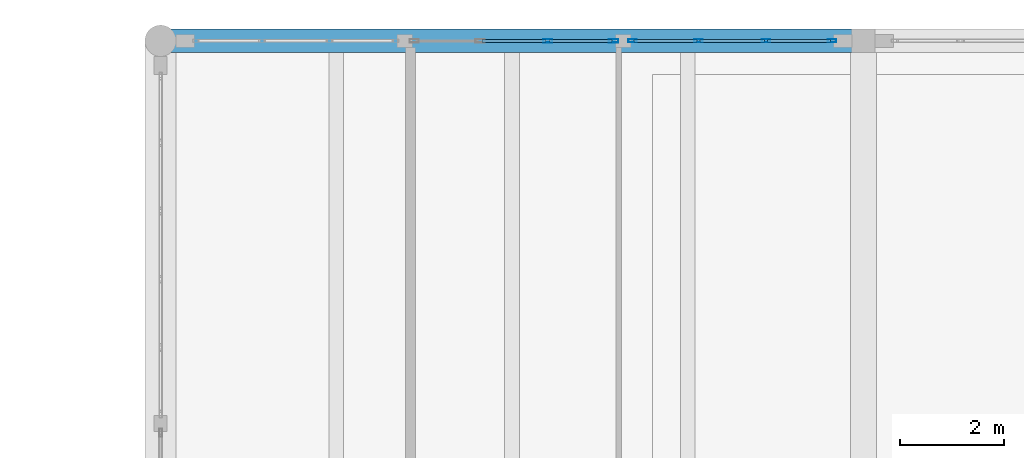
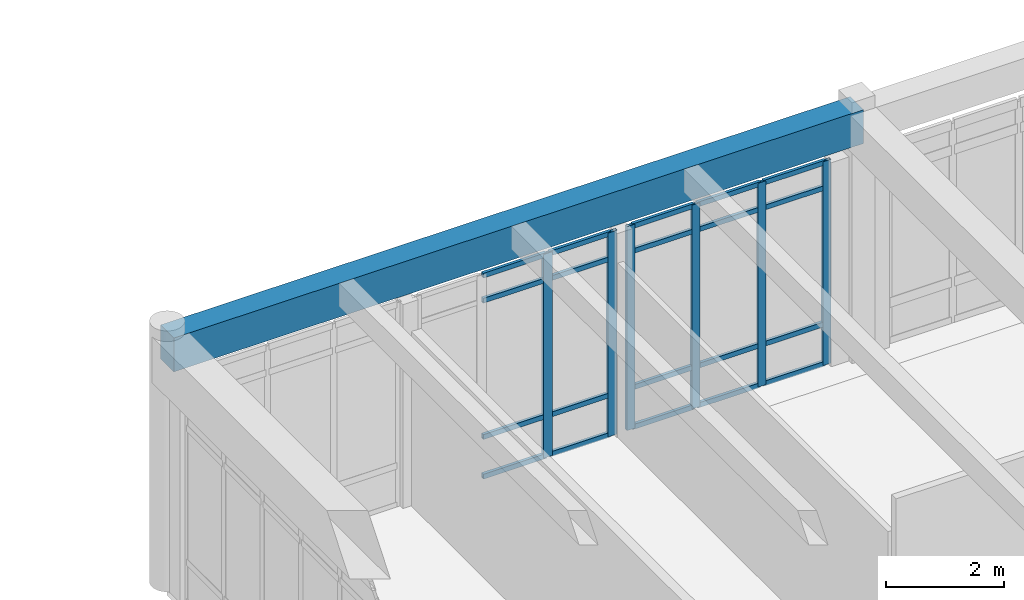
# One storey, part 53 of 138: 26 members, 1 beam, 2 elements without a shape of their own.
"""IFC4 building model written with IfcOpenShell, lengths in metres."""

from ifc_helpers import new_model, si_unit, direction, frame, origin, origin_2d, place, context, subcontext, project, spatial, rectangle, hollow_rectangle, extrude, material, layer, layer_set, material_profile, profile_set, type_object, element, aggregate, save


model = new_model("IFC4")

# Units and contexts
model_context = context("Model", 3, precision=1e-05, world=origin(), true_north=direction((0.0, 1.0)))
body_context = subcontext(model_context, "Body", "Model", "MODEL_VIEW")
ifc_project = project(units=[si_unit("LENGTHUNIT", "METRE"), si_unit("AREAUNIT", "SQUARE_METRE"), si_unit("VOLUMEUNIT", "CUBIC_METRE"), si_unit("PLANEANGLEUNIT", "RADIAN"), si_unit("MASSUNIT", "GRAM", prefix="KILO")], contexts=[model_context])

# Site, building, storey
site_placement = place(None, origin())
site = spatial("IfcSite", under=ifc_project, at=site_placement, CompositionType="ELEMENT")
building_placement = place(site_placement, origin())
building = spatial("IfcBuilding", under=site, at=building_placement, Name="Fikremerkos Civic Library", CompositionType="ELEMENT")
storey_placement = place(building_placement, origin())
storey = spatial("IfcBuildingStorey", under=building, at=storey_placement, Name="L00", CompositionType="ELEMENT", Elevation=0.0)

# Curtain wall, members
ifc_material_1 = material(Name="Anodized aluminium Frame", Category="aluminium")
ifc_layer_1 = layer(ifc_material_1, 0.159912109375, Name="Anodized aluminium Frame")
ifc_layer_set_1 = layer_set([ifc_layer_1], Name="Anodized aluminium Frame")
curtain_wall_type_1 = type_object("IfcCurtainWallType", Name="Unitised curtain wall CW-05 3800x4100", PredefinedType="USERDEFINED", material=ifc_layer_set_1)
curtain_wall_1_placement = place(storey_placement, origin())
curtain_wall_1 = element("IfcCurtainWall", 1, at=curtain_wall_1_placement, inside=storey, type_object=curtain_wall_type_1, Name="Unitised curtain wall CW-05 L00 #41", ObjectType="UNITISED CURTAIN WALL", PredefinedType="USERDEFINED")
ifc_material_profile_1 = material_profile(ifc_material_1, hollow_rectangle(XDim=0.06494140625, YDim=0.179931640625, WallThickness=0.00439453125, at=origin_2d()), Name="ALU 180x65x4.5")
ifc_profile_set_1 = profile_set([ifc_material_profile_1], Name="Anodized aluminium Frame")
member_type_1 = type_object("IfcMemberType", Name="Curtain mullion CWM-01 ALU 180x65x4.5", PredefinedType="MULLION", material=ifc_profile_set_1)
member_1_placement = place(storey_placement, frame((67.13623046875, 117.60009765625, 0.0), z_axis=(0.0, 0.0, 1.0), x_axis=(0.0, 1.0, 0.0)))
member_1 = element("IfcMember", 2, at=member_1_placement, type_object=member_type_1, Name="CW-05 mullion 3", PredefinedType="MULLION", context=body_context, shape_type="SweptSolid", body=[
    extrude(hollow_rectangle(XDim=0.06494140625, YDim=0.179931640625, WallThickness=0.00439453125, at=origin_2d()), origin(), (0.0, 0.0, 1.0), 4.219970703125),
])
member_2_placement = place(storey_placement, frame((68.401611328125, 117.60009765625, 0.0), z_axis=(0.0, 0.0, 1.0), x_axis=(0.0, 1.0, 0.0)))
member_2 = element("IfcMember", 3, at=member_2_placement, type_object=member_type_1, Name="CW-05 mullion 4", PredefinedType="MULLION", context=body_context, shape_type="SweptSolid", body=[
    extrude(hollow_rectangle(XDim=0.06494140625, YDim=0.179931640625, WallThickness=0.00439453125, at=origin_2d()), origin(), (0.0, 0.0, 1.0), 4.219970703125),
])

ifc_layer_2 = layer(ifc_material_1, 0.159912109375, Name="Anodized aluminium Frame")
ifc_layer_set_2 = layer_set([ifc_layer_2], Name="Anodized aluminium Frame")
curtain_wall_type_2 = type_object("IfcCurtainWallType", Name="Unitised curtain wall CW-06 4200x4100", PredefinedType="USERDEFINED", material=ifc_layer_set_2)
curtain_wall_2_placement = place(storey_placement, origin())
curtain_wall_2 = element("IfcCurtainWall", 4, at=curtain_wall_2_placement, inside=storey, type_object=curtain_wall_type_2, Name="Unitised curtain wall CW-06 L00 #42", ObjectType="UNITISED CURTAIN WALL", PredefinedType="USERDEFINED")
ifc_material_profile_2 = material_profile(ifc_material_1, hollow_rectangle(XDim=0.06005859375, YDim=0.159912109375, WallThickness=0.00390625, at=origin_2d()), Name="ALU 160x60x4")
ifc_profile_set_2 = profile_set([ifc_material_profile_2], Name="Anodized aluminium Frame")
member_type_2 = type_object("IfcMemberType", Name="Curtain mullion CWM-02 ALU 160x60x4", PredefinedType="MULLION", material=ifc_profile_set_2)
member_3_placement = place(storey_placement, frame((68.763916015625, 117.60009765625, 0.0), z_axis=(0.0, 0.0, 1.0), x_axis=(0.0, 1.0, 0.0)))
member_3 = element("IfcMember", 5, at=member_3_placement, type_object=member_type_2, Name="CW-06 mullion 1", PredefinedType="MULLION", context=body_context, shape_type="SweptSolid", body=[
    extrude(hollow_rectangle(XDim=0.06005859375, YDim=0.159912109375, WallThickness=0.00390625, at=origin_2d()), origin(), (0.0, 0.0, 1.0), 4.219970703125),
])
member_4_placement = place(storey_placement, frame((70.03173828125, 117.60009765625, 0.0), z_axis=(0.0, 0.0, 1.0), x_axis=(0.0, 1.0, 0.0)))
member_4 = element("IfcMember", 6, at=member_4_placement, type_object=member_type_2, Name="CW-06 mullion 2", PredefinedType="MULLION", context=body_context, shape_type="SweptSolid", body=[
    extrude(hollow_rectangle(XDim=0.06005859375, YDim=0.159912109375, WallThickness=0.00390625, at=origin_2d()), origin(), (0.0, 0.0, 1.0), 4.219970703125),
])
member_5_placement = place(storey_placement, frame((71.329345703125, 117.60009765625, 0.0), z_axis=(0.0, 0.0, 1.0), x_axis=(0.0, 1.0, 0.0)))
member_5 = element("IfcMember", 7, at=member_5_placement, type_object=member_type_2, Name="CW-06 mullion 3", PredefinedType="MULLION", context=body_context, shape_type="SweptSolid", body=[
    extrude(hollow_rectangle(XDim=0.06005859375, YDim=0.159912109375, WallThickness=0.00390625, at=origin_2d()), origin(), (0.0, 0.0, 1.0), 4.219970703125),
])
member_6_placement = place(storey_placement, frame((72.596923828125, 117.60009765625, 0.0), z_axis=(0.0, 0.0, 1.0), x_axis=(0.0, 1.0, 0.0)))
member_6 = element("IfcMember", 8, at=member_6_placement, type_object=member_type_2, Name="CW-06 mullion 4", PredefinedType="MULLION", context=body_context, shape_type="SweptSolid", body=[
    extrude(hollow_rectangle(XDim=0.06005859375, YDim=0.159912109375, WallThickness=0.00390625, at=origin_2d()), origin(), (0.0, 0.0, 1.0), 4.219970703125),
])

# Member
ifc_material_profile_3 = material_profile(ifc_material_1, hollow_rectangle(XDim=0.06005859375, YDim=0.10009765625, WallThickness=0.00390625, at=origin_2d()), Name="ALU 100x60x4")
ifc_profile_set_3 = profile_set([ifc_material_profile_3], Name="Anodized aluminium Frame")
member_type_3 = type_object("IfcMemberType", Name="Curtain transom CWT-03 ALU 100x60x4", PredefinedType="USERDEFINED", material=ifc_profile_set_3)
member_7_placement = place(storey_placement, frame((65.87109375, 117.60009765625, 0.030029296875), z_axis=(1.0, 0.0, 0.0), x_axis=(0.0, 1.0, 0.0)))
member_7 = element("IfcMember", 9, at=member_7_placement, type_object=member_type_3, Name="CW-05 transom 2.1", ObjectType="TRANSOM", PredefinedType="USERDEFINED", context=body_context, shape_type="SweptSolid", body=[
    extrude(hollow_rectangle(XDim=0.06005859375, YDim=0.10009765625, WallThickness=0.00390625, at=origin_2d()), origin(), (0.0, 0.0, 1.0), 1.232666015625),
])

member_8_placement = place(storey_placement, frame((65.87109375, 117.60009765625, 0.85009765625), z_axis=(1.0, 0.0, 0.0), x_axis=(0.0, 1.0, 0.0)))
member_8 = element("IfcMember", 10, at=member_8_placement, type_object=member_type_3, Name="CW-05 transom 2.2", ObjectType="TRANSOM", PredefinedType="USERDEFINED", context=body_context, shape_type="SweptSolid", body=[
    extrude(hollow_rectangle(XDim=0.06005859375, YDim=0.10009765625, WallThickness=0.00390625, at=origin_2d()), origin(), (0.0, 0.0, 1.0), 1.232666015625),
])

member_9_placement = place(storey_placement, frame((65.87109375, 117.60009765625, 3.669921875), z_axis=(1.0, 0.0, 0.0), x_axis=(0.0, 1.0, 0.0)))
member_9 = element("IfcMember", 11, at=member_9_placement, type_object=member_type_3, Name="CW-05 transom 2.3", ObjectType="TRANSOM", PredefinedType="USERDEFINED", context=body_context, shape_type="SweptSolid", body=[
    extrude(hollow_rectangle(XDim=0.06005859375, YDim=0.10009765625, WallThickness=0.00390625, at=origin_2d()), origin(), (0.0, 0.0, 1.0), 1.232666015625),
])

member_10_placement = place(storey_placement, frame((65.87109375, 117.60009765625, 4.18994140625), z_axis=(1.0, 0.0, 0.0), x_axis=(0.0, 1.0, 0.0)))
member_10 = element("IfcMember", 12, at=member_10_placement, type_object=member_type_3, Name="CW-05 transom 2.4", ObjectType="TRANSOM", PredefinedType="USERDEFINED", context=body_context, shape_type="SweptSolid", body=[
    extrude(hollow_rectangle(XDim=0.06005859375, YDim=0.10009765625, WallThickness=0.00390625, at=origin_2d()), origin(), (0.0, 0.0, 1.0), 1.232666015625),
])

member_11_placement = place(storey_placement, frame((67.1689453125, 117.60009765625, 0.030029296875), z_axis=(1.0, 0.0, 0.0), x_axis=(0.0, 1.0, 0.0)))
member_11 = element("IfcMember", 13, at=member_11_placement, type_object=member_type_3, Name="CW-05 transom 3.1", ObjectType="TRANSOM", PredefinedType="USERDEFINED", context=body_context, shape_type="SweptSolid", body=[
    extrude(hollow_rectangle(XDim=0.06005859375, YDim=0.10009765625, WallThickness=0.00390625, at=origin_2d()), origin(), (0.0, 0.0, 1.0), 1.199951171875),
])

member_12_placement = place(storey_placement, frame((67.1689453125, 117.60009765625, 0.85009765625), z_axis=(1.0, 0.0, 0.0), x_axis=(0.0, 1.0, 0.0)))
member_12 = element("IfcMember", 14, at=member_12_placement, type_object=member_type_3, Name="CW-05 transom 3.2", ObjectType="TRANSOM", PredefinedType="USERDEFINED", context=body_context, shape_type="SweptSolid", body=[
    extrude(hollow_rectangle(XDim=0.06005859375, YDim=0.10009765625, WallThickness=0.00390625, at=origin_2d()), origin(), (0.0, 0.0, 1.0), 1.199951171875),
])

member_13_placement = place(storey_placement, frame((67.1689453125, 117.60009765625, 3.669921875), z_axis=(1.0, 0.0, 0.0), x_axis=(0.0, 1.0, 0.0)))
member_13 = element("IfcMember", 15, at=member_13_placement, type_object=member_type_3, Name="CW-05 transom 3.3", ObjectType="TRANSOM", PredefinedType="USERDEFINED", context=body_context, shape_type="SweptSolid", body=[
    extrude(hollow_rectangle(XDim=0.06005859375, YDim=0.10009765625, WallThickness=0.00390625, at=origin_2d()), origin(), (0.0, 0.0, 1.0), 1.199951171875),
])

member_14_placement = place(storey_placement, frame((67.1689453125, 117.60009765625, 4.18994140625), z_axis=(1.0, 0.0, 0.0), x_axis=(0.0, 1.0, 0.0)))
member_14 = element("IfcMember", 16, at=member_14_placement, type_object=member_type_3, Name="CW-05 transom 3.4", ObjectType="TRANSOM", PredefinedType="USERDEFINED", context=body_context, shape_type="SweptSolid", body=[
    extrude(hollow_rectangle(XDim=0.06005859375, YDim=0.10009765625, WallThickness=0.00390625, at=origin_2d()), origin(), (0.0, 0.0, 1.0), 1.199951171875),
])

aggregate(curtain_wall_1, [member_1, member_2, member_7, member_8, member_9, member_10, member_11, member_12, member_13, member_14])

member_15_placement = place(storey_placement, frame((68.7939453125, 117.60009765625, 0.030029296875), z_axis=(1.0, 0.0, 0.0), x_axis=(0.0, 1.0, 0.0)))
member_15 = element("IfcMember", 17, at=member_15_placement, type_object=member_type_3, Name="CW-06 transom 1.1", ObjectType="TRANSOM", PredefinedType="USERDEFINED", context=body_context, shape_type="SweptSolid", body=[
    extrude(hollow_rectangle(XDim=0.06005859375, YDim=0.10009765625, WallThickness=0.00390625, at=origin_2d()), origin(), (0.0, 0.0, 1.0), 1.207763671875),
])

member_16_placement = place(storey_placement, frame((68.7939453125, 117.60009765625, 0.85009765625), z_axis=(1.0, 0.0, 0.0), x_axis=(0.0, 1.0, 0.0)))
member_16 = element("IfcMember", 18, at=member_16_placement, type_object=member_type_3, Name="CW-06 transom 1.2", ObjectType="TRANSOM", PredefinedType="USERDEFINED", context=body_context, shape_type="SweptSolid", body=[
    extrude(hollow_rectangle(XDim=0.06005859375, YDim=0.10009765625, WallThickness=0.00390625, at=origin_2d()), origin(), (0.0, 0.0, 1.0), 1.207763671875),
])

member_17_placement = place(storey_placement, frame((68.7939453125, 117.60009765625, 3.669921875), z_axis=(1.0, 0.0, 0.0), x_axis=(0.0, 1.0, 0.0)))
member_17 = element("IfcMember", 19, at=member_17_placement, type_object=member_type_3, Name="CW-06 transom 1.3", ObjectType="TRANSOM", PredefinedType="USERDEFINED", context=body_context, shape_type="SweptSolid", body=[
    extrude(hollow_rectangle(XDim=0.06005859375, YDim=0.10009765625, WallThickness=0.00390625, at=origin_2d()), origin(), (0.0, 0.0, 1.0), 1.207763671875),
])

member_18_placement = place(storey_placement, frame((68.7939453125, 117.60009765625, 4.18994140625), z_axis=(1.0, 0.0, 0.0), x_axis=(0.0, 1.0, 0.0)))
member_18 = element("IfcMember", 20, at=member_18_placement, type_object=member_type_3, Name="CW-06 transom 1.4", ObjectType="TRANSOM", PredefinedType="USERDEFINED", context=body_context, shape_type="SweptSolid", body=[
    extrude(hollow_rectangle(XDim=0.06005859375, YDim=0.10009765625, WallThickness=0.00390625, at=origin_2d()), origin(), (0.0, 0.0, 1.0), 1.207763671875),
])

member_19_placement = place(storey_placement, frame((70.061767578125, 117.60009765625, 0.030029296875), z_axis=(1.0, 0.0, 0.0), x_axis=(0.0, 1.0, 0.0)))
member_19 = element("IfcMember", 21, at=member_19_placement, type_object=member_type_3, Name="CW-06 transom 2.1", ObjectType="TRANSOM", PredefinedType="USERDEFINED", context=body_context, shape_type="SweptSolid", body=[
    extrude(hollow_rectangle(XDim=0.06005859375, YDim=0.10009765625, WallThickness=0.00390625, at=origin_2d()), origin(), (0.0, 0.0, 1.0), 1.237548828125),
])

member_20_placement = place(storey_placement, frame((70.061767578125, 117.60009765625, 0.85009765625), z_axis=(1.0, 0.0, 0.0), x_axis=(0.0, 1.0, 0.0)))
member_20 = element("IfcMember", 22, at=member_20_placement, type_object=member_type_3, Name="CW-06 transom 2.2", ObjectType="TRANSOM", PredefinedType="USERDEFINED", context=body_context, shape_type="SweptSolid", body=[
    extrude(hollow_rectangle(XDim=0.06005859375, YDim=0.10009765625, WallThickness=0.00390625, at=origin_2d()), origin(), (0.0, 0.0, 1.0), 1.237548828125),
])

member_21_placement = place(storey_placement, frame((70.061767578125, 117.60009765625, 3.669921875), z_axis=(1.0, 0.0, 0.0), x_axis=(0.0, 1.0, 0.0)))
member_21 = element("IfcMember", 23, at=member_21_placement, type_object=member_type_3, Name="CW-06 transom 2.3", ObjectType="TRANSOM", PredefinedType="USERDEFINED", context=body_context, shape_type="SweptSolid", body=[
    extrude(hollow_rectangle(XDim=0.06005859375, YDim=0.10009765625, WallThickness=0.00390625, at=origin_2d()), origin(), (0.0, 0.0, 1.0), 1.237548828125),
])

member_22_placement = place(storey_placement, frame((70.061767578125, 117.60009765625, 4.18994140625), z_axis=(1.0, 0.0, 0.0), x_axis=(0.0, 1.0, 0.0)))
member_22 = element("IfcMember", 24, at=member_22_placement, type_object=member_type_3, Name="CW-06 transom 2.4", ObjectType="TRANSOM", PredefinedType="USERDEFINED", context=body_context, shape_type="SweptSolid", body=[
    extrude(hollow_rectangle(XDim=0.06005859375, YDim=0.10009765625, WallThickness=0.00390625, at=origin_2d()), origin(), (0.0, 0.0, 1.0), 1.237548828125),
])

member_23_placement = place(storey_placement, frame((71.359375, 117.60009765625, 0.030029296875), z_axis=(1.0, 0.0, 0.0), x_axis=(0.0, 1.0, 0.0)))
member_23 = element("IfcMember", 25, at=member_23_placement, type_object=member_type_3, Name="CW-06 transom 3.1", ObjectType="TRANSOM", PredefinedType="USERDEFINED", context=body_context, shape_type="SweptSolid", body=[
    extrude(hollow_rectangle(XDim=0.06005859375, YDim=0.10009765625, WallThickness=0.00390625, at=origin_2d()), origin(), (0.0, 0.0, 1.0), 1.20751953125),
])

member_24_placement = place(storey_placement, frame((71.359375, 117.60009765625, 0.85009765625), z_axis=(1.0, 0.0, 0.0), x_axis=(0.0, 1.0, 0.0)))
member_24 = element("IfcMember", 26, at=member_24_placement, type_object=member_type_3, Name="CW-06 transom 3.2", ObjectType="TRANSOM", PredefinedType="USERDEFINED", context=body_context, shape_type="SweptSolid", body=[
    extrude(hollow_rectangle(XDim=0.06005859375, YDim=0.10009765625, WallThickness=0.00390625, at=origin_2d()), origin(), (0.0, 0.0, 1.0), 1.20751953125),
])

member_25_placement = place(storey_placement, frame((71.359375, 117.60009765625, 3.669921875), z_axis=(1.0, 0.0, 0.0), x_axis=(0.0, 1.0, 0.0)))
member_25 = element("IfcMember", 27, at=member_25_placement, type_object=member_type_3, Name="CW-06 transom 3.3", ObjectType="TRANSOM", PredefinedType="USERDEFINED", context=body_context, shape_type="SweptSolid", body=[
    extrude(hollow_rectangle(XDim=0.06005859375, YDim=0.10009765625, WallThickness=0.00390625, at=origin_2d()), origin(), (0.0, 0.0, 1.0), 1.20751953125),
])

member_26_placement = place(storey_placement, frame((71.359375, 117.60009765625, 4.18994140625), z_axis=(1.0, 0.0, 0.0), x_axis=(0.0, 1.0, 0.0)))
member_26 = element("IfcMember", 28, at=member_26_placement, type_object=member_type_3, Name="CW-06 transom 3.4", ObjectType="TRANSOM", PredefinedType="USERDEFINED", context=body_context, shape_type="SweptSolid", body=[
    extrude(hollow_rectangle(XDim=0.06005859375, YDim=0.10009765625, WallThickness=0.00390625, at=origin_2d()), origin(), (0.0, 0.0, 1.0), 1.20751953125),
])

aggregate(curtain_wall_2, [member_3, member_4, member_5, member_6, member_15, member_16, member_17, member_18, member_19, member_20, member_21, member_22, member_23, member_24, member_25, member_26])

# Beam
ifc_material_2 = material(Name="Concrete C40/50", Category="concrete")
ifc_material_profile_4 = material_profile(ifc_material_2, rectangle(XDim=0.449951171875, YDim=0.699951171875, at=origin_2d()), Name="RC 450x700")
ifc_profile_set_4 = profile_set([ifc_material_profile_4], Name="Concrete C40/50")
beam_type = type_object("IfcBeamType", Name="Primary girder BM-06 RC 450x700", PredefinedType="BEAM", material=ifc_profile_set_4)
beam_placement = place(storey_placement, frame((59.699951171875, 117.60009765625, 4.830078125), z_axis=(1.0, 0.0, 0.0), x_axis=(0.0, 1.0, 0.0)))
element("IfcBeam", 29, at=beam_placement, inside=storey, type_object=beam_type, Name="Primary girder BM-06 L00 grid N", PredefinedType="BEAM", context=body_context, shape_type="SweptSolid", body=[
    extrude(rectangle(XDim=0.449951171875, YDim=0.699951171875, at=origin_2d()), origin(), (0.0, 0.0, 1.0), 13.5),
])

save(model, "model.ifc")
